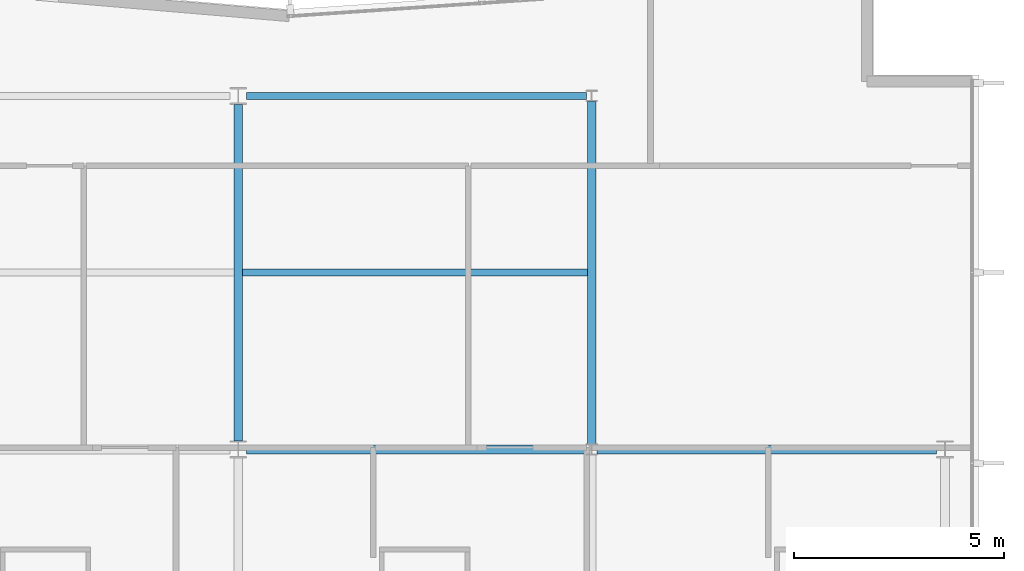
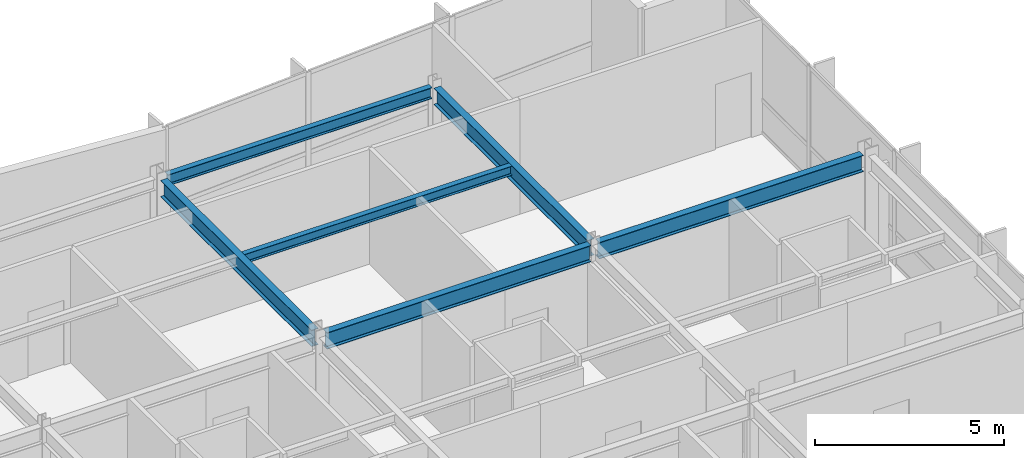
# One storey, part 6 of 17: 6 beams.
"""IFC4 building model written with IfcOpenShell, lengths in metres."""

from ifc_helpers import new_model, si_unit, direction, frame, origin, origin_2d, place, context, subcontext, project, spatial, i_section, extrude, material, material_profile, profile_set, type_object, element, save


model = new_model("IFC4")

# Units and contexts
model_context = context("Model", 3, precision=1e-05, world=origin(), true_north=direction((0.0, 1.0)))
body_context = subcontext(model_context, "Body", "Model", "MODEL_VIEW")
ifc_project = project(units=[si_unit("LENGTHUNIT", "METRE"), si_unit("AREAUNIT", "SQUARE_METRE"), si_unit("VOLUMEUNIT", "CUBIC_METRE"), si_unit("PLANEANGLEUNIT", "RADIAN"), si_unit("MASSUNIT", "GRAM", prefix="KILO")], contexts=[model_context])

# Site, building, storey
site_placement = place(None, origin())
site = spatial("IfcSite", under=ifc_project, at=site_placement, CompositionType="ELEMENT")
building_placement = place(site_placement, origin())
building = spatial("IfcBuilding", under=site, at=building_placement, Name="Varnakote Quay Hospital", CompositionType="ELEMENT")
storey_placement = place(building_placement, frame((0.0, 0.0, 184.199951171875)))
storey = spatial("IfcBuildingStorey", under=building, at=storey_placement, Name="L45", CompositionType="ELEMENT", Elevation=184.199951171875)

# Beams
ifc_material_1 = material(Name="Structural steel AS/NZS 3679.1 Grade 350 L0 (fy 340 MPa)", Category="steel")
ifc_material_profile_1 = material_profile(ifc_material_1, i_section(OverallWidth=0.208984375, OverallDepth=0.532958984375, WebThickness=0.01025390625, FlangeThickness=0.015625, FilletRadius=0.013916015625, at=origin_2d()), Name="530UB92.4")
ifc_profile_set_1 = profile_set([ifc_material_profile_1], Name="Structural steel AS/NZS 3679.1 Grade 350 L0 (fy 340 MPa)")
beam_type_1 = type_object("IfcBeamType", Name="BM-STL-530UB92-4", PredefinedType="BEAM", material=ifc_profile_set_1)
for number, where, z_axis, x_axis, name in (
    (1, (33.800048828125, 20.39990234375, 3.443603515625), (1.0, 0.0, 0.0), (0.0, 1.0, 0.0), "L45 Primary Floor Beam"),
    (2, (42.1279296875, 20.39990234375, 3.443603515625), (1.0, 0.0, 0.0), (0.0, 1.0, 0.0), "L45 Primary Floor Beam"),
):
    element("IfcBeam", number, at=place(storey_placement, frame(where, z_axis=z_axis, x_axis=x_axis)), inside=storey, type_object=beam_type_1, Name=name, PredefinedType="BEAM", context=body_context, shape_type="SweptSolid", body=[
        extrude(i_section(OverallWidth=0.208984375, OverallDepth=0.532958984375, WebThickness=0.01025390625, FlangeThickness=0.015625, FilletRadius=0.013916015625, at=origin_2d()), origin(), (0.0, 0.0, 1.0), 8.072021484375),
    ])
beam_1_placement = place(storey_placement, frame((33.60009765625, 20.60205078125, 3.443603515625), z_axis=(0.0, 1.0, 0.0), x_axis=(-1.0, 0.0, 0.0)))
element("IfcBeam", 3, at=beam_1_placement, inside=storey, type_object=beam_type_1, Name="L45 Primary Tie Beam", PredefinedType="BEAM", context=body_context, shape_type="SweptSolid", body=[
    extrude(i_section(OverallWidth=0.208984375, OverallDepth=0.532958984375, WebThickness=0.01025390625, FlangeThickness=0.015625, FilletRadius=0.013916015625, at=origin_2d()), origin(), (0.0, 0.0, 1.0), 7.995849609375),
])
beam_2_placement = place(storey_placement, frame((42.0, 20.530029296875, 3.443603515625), z_axis=(0.0, 1.0, 0.0), x_axis=(-1.0, 0.0, 0.0)))
element("IfcBeam", 4, at=beam_2_placement, inside=storey, type_object=beam_type_1, Name="L45 Primary Tie Beam", PredefinedType="BEAM", context=body_context, shape_type="SweptSolid", body=[
    extrude(i_section(OverallWidth=0.208984375, OverallDepth=0.532958984375, WebThickness=0.01025390625, FlangeThickness=0.015625, FilletRadius=0.013916015625, at=origin_2d()), origin(), (0.0, 0.0, 1.0), 8.139892578125),
])
ifc_material_2 = material(Name="Structural steel AS/NZS 3679.1 Grade 350 L0 (fy 340 MPa)", Category="steel")
ifc_material_profile_2 = material_profile(ifc_material_2, i_section(OverallWidth=0.1650390625, OverallDepth=0.303955078125, WebThickness=0.006103515625, FlangeThickness=0.01025390625, FilletRadius=0.011474609375, at=origin_2d()), Name="310UB40.4")
ifc_profile_set_2 = profile_set([ifc_material_profile_2], Name="Structural steel AS/NZS 3679.1 Grade 350 L0 (fy 340 MPa)")
beam_type_2 = type_object("IfcBeamType", Name="JST-STL-310UB40-4", PredefinedType="JOIST", material=ifc_profile_set_2)
beam_3_placement = place(storey_placement, frame((33.70458984375, 24.60009765625, 3.55810546875), z_axis=(1.0, 0.0, 0.0), x_axis=(0.0, 1.0, 0.0)))
element("IfcBeam", 5, at=beam_3_placement, inside=storey, type_object=beam_type_2, Name="L45 Composite Floor Joist", PredefinedType="JOIST", context=body_context, shape_type="SweptSolid", body=[
    extrude(i_section(OverallWidth=0.1650390625, OverallDepth=0.303955078125, WebThickness=0.006103515625, FlangeThickness=0.01025390625, FilletRadius=0.011474609375, at=origin_2d()), origin(), (0.0, 0.0, 1.0), 8.19091796875),
])
ifc_material_3 = material(Name="Structural steel AS/NZS 3679.1 Grade 350 L0 (fy 340 MPa)", Category="steel")
ifc_material_profile_3 = material_profile(ifc_material_3, i_section(OverallWidth=0.172119140625, OverallDepth=0.35888671875, WebThickness=0.008056640625, FlangeThickness=0.012939453125, FilletRadius=0.011474609375, at=origin_2d()), Name="360UB56.7")
ifc_profile_set_3 = profile_set([ifc_material_profile_3], Name="Structural steel AS/NZS 3679.1 Grade 350 L0 (fy 340 MPa)")
beam_type_3 = type_object("IfcBeamType", Name="SPN-STL-360UB56-7", PredefinedType="SPANDREL", material=ifc_profile_set_3)
beam_4_placement = place(storey_placement, frame((33.800048828125, 28.800048828125, 3.530517578125), z_axis=(1.0, 0.0, 0.0), x_axis=(0.0, 1.0, 0.0)))
element("IfcBeam", 6, at=beam_4_placement, inside=storey, type_object=beam_type_3, Name="L45 Perimeter Spandrel Beam", PredefinedType="SPANDREL", context=body_context, shape_type="SweptSolid", body=[
    extrude(i_section(OverallWidth=0.172119140625, OverallDepth=0.35888671875, WebThickness=0.008056640625, FlangeThickness=0.012939453125, FilletRadius=0.011474609375, at=origin_2d()), origin(), (0.0, 0.0, 1.0), 8.072021484375),
])

save(model, "model.ifc")
